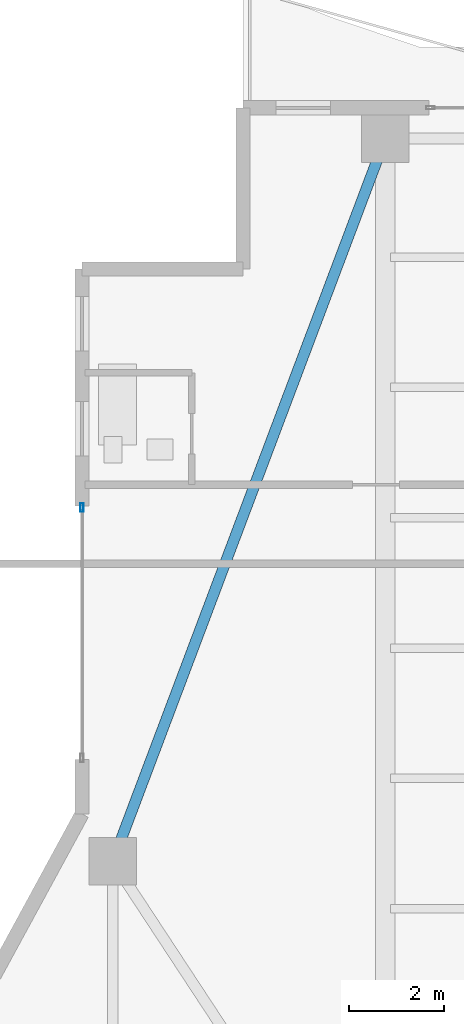
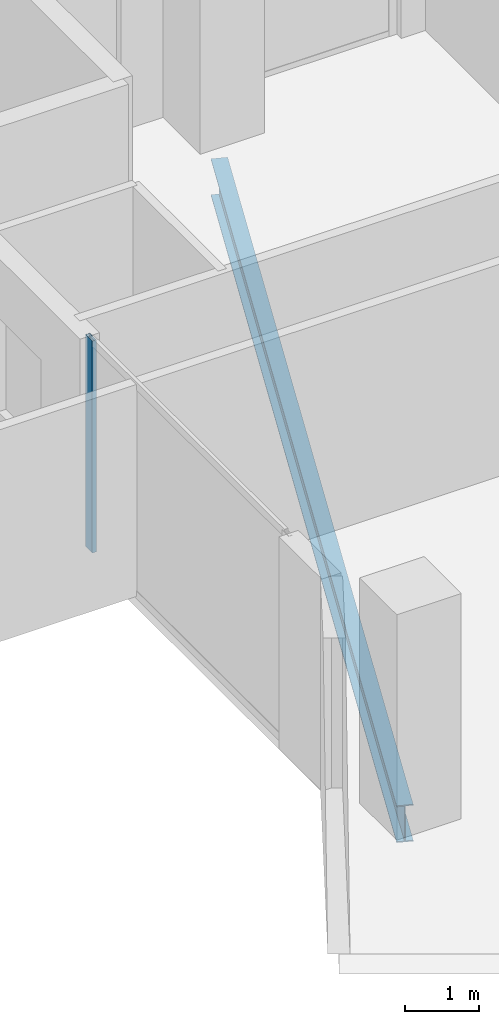
# One storey, part 12 of 25: 1 beam, 1 member, 1 element without a shape of its own.
"""IFC4 building model written with IfcOpenShell, lengths in metres."""

from ifc_helpers import new_model, si_unit, direction, frame, origin, origin_2d, place, context, subcontext, project, spatial, hollow_rectangle, i_section, extrude, material, layer, layer_set, material_profile, profile_set, type_object, element, aggregate, save


model = new_model("IFC4")

# Units and contexts
model_context = context("Model", 3, precision=1e-05, world=origin(), true_north=direction((0.0, 1.0)))
body_context = subcontext(model_context, "Body", "Model", "MODEL_VIEW")
ifc_project = project(units=[si_unit("LENGTHUNIT", "METRE"), si_unit("AREAUNIT", "SQUARE_METRE"), si_unit("VOLUMEUNIT", "CUBIC_METRE"), si_unit("PLANEANGLEUNIT", "RADIAN"), si_unit("MASSUNIT", "GRAM", prefix="KILO")], contexts=[model_context])

# Site, building, storey
site_placement = place(None, origin())
site = spatial("IfcSite", under=ifc_project, at=site_placement, CompositionType="ELEMENT")
building_placement = place(site_placement, origin())
building = spatial("IfcBuilding", under=site, at=building_placement, Name="Zuhayl Quay Hotel", CompositionType="ELEMENT")
storey_placement = place(building_placement, frame((0.0, 0.0, 250.75)))
storey = spatial("IfcBuildingStorey", under=building, at=storey_placement, Name="L63", CompositionType="ELEMENT", Elevation=250.75)

# Beam
ifc_material_1 = material(Name="Steel ASTM A992 Grade 50", Category="steel")
ifc_material_profile_1 = material_profile(ifc_material_1, i_section(OverallWidth=0.22802734375, OverallDepth=0.60693359375, WebThickness=0.01123046875, FlangeThickness=0.017333984375, at=origin_2d()), Name="W24X76")
ifc_profile_set_1 = profile_set([ifc_material_profile_1], Name="Steel ASTM A992 Grade 50")
beam_type = type_object("IfcBeamType", Name="BM_B3_W24X76", PredefinedType="BEAM", material=ifc_profile_set_1)
beam_placement = place(storey_placement, frame((-13.96240234375, 37.919677734375, -0.5234375), z_axis=(-0.352796603103, -0.935700035716, 0.0), x_axis=(0.935700035716, -0.352796603103, 0.0)))
element("IfcBeam", 1, at=beam_placement, inside=storey, type_object=beam_type, Name="L63 Floor Beam RG_L63_10", PredefinedType="BEAM", context=body_context, shape_type="SweptSolid", body=[
    extrude(i_section(OverallWidth=0.22802734375, OverallDepth=0.60693359375, WebThickness=0.01123046875, FlangeThickness=0.017333984375, at=origin_2d()), origin(), (0.0, 0.0, 1.0), 15.3779296875),
])

# Curtain wall, member
ifc_material_2 = material(Name="Anodised Aluminium 6063-T6", Category="aluminium")
ifc_layer = layer(ifc_material_2, 0.169921875, Name="Anodised Aluminium 6063-T6", Category="aluminium")
ifc_layer_set = layer_set([ifc_layer], Name="Anodised Aluminium 6063-T6")
curtain_wall_type = type_object("IfcCurtainWallType", Name="CW_SYS_Z4", PredefinedType="USERDEFINED", material=ifc_layer_set)
curtain_wall_placement = place(storey_placement, origin())
curtain_wall = element("IfcCurtainWall", 2, at=curtain_wall_placement, inside=storey, type_object=curtain_wall_type, Name="L63 Curtain Wall ENV_L63_E05_CW1", ObjectType="UNITISED CURTAIN WALL", PredefinedType="USERDEFINED")
ifc_material_3 = material(Name="Black-anodised aluminium 6063-T6", Category="aluminium")
ifc_material_profile_2 = material_profile(ifc_material_3, hollow_rectangle(XDim=0.06494140625, YDim=0.179931640625, WallThickness=0.00341796875, at=origin_2d()), Name="ALU180X65")
ifc_profile_set_2 = profile_set([ifc_material_profile_2], Name="Black-anodised aluminium 6063-T6")
member_type = type_object("IfcMemberType", Name="MB_CW_MUL_180", PredefinedType="MULLION", material=ifc_profile_set_2)
member_placement = place(storey_placement, frame((-20.199951171875, 30.5673828125, 0.0), z_axis=(0.0, 0.0, 1.0), x_axis=(-1.0, 0.0, 0.0)))
member = element("IfcMember", 3, at=member_placement, type_object=member_type, Name="CW-Z4 mullion 2", PredefinedType="MULLION", context=body_context, shape_type="SweptSolid", body=[
    extrude(hollow_rectangle(XDim=0.06494140625, YDim=0.179931640625, WallThickness=0.00341796875, at=origin_2d()), origin(), (0.0, 0.0, 1.0), 3.47998046875),
])
aggregate(curtain_wall, [member])

save(model, "model.ifc")
